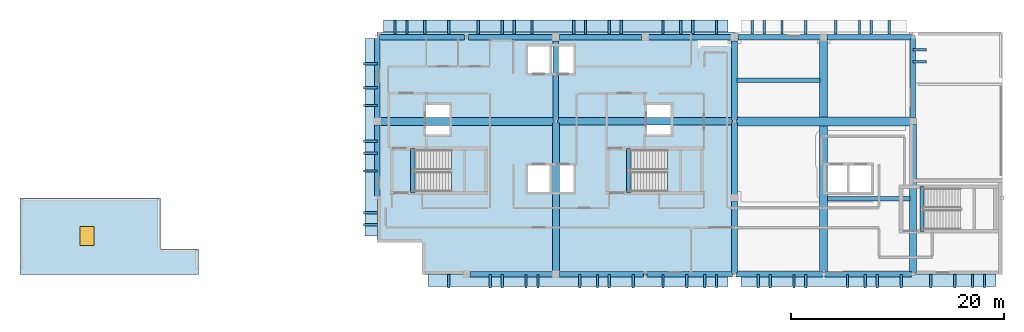
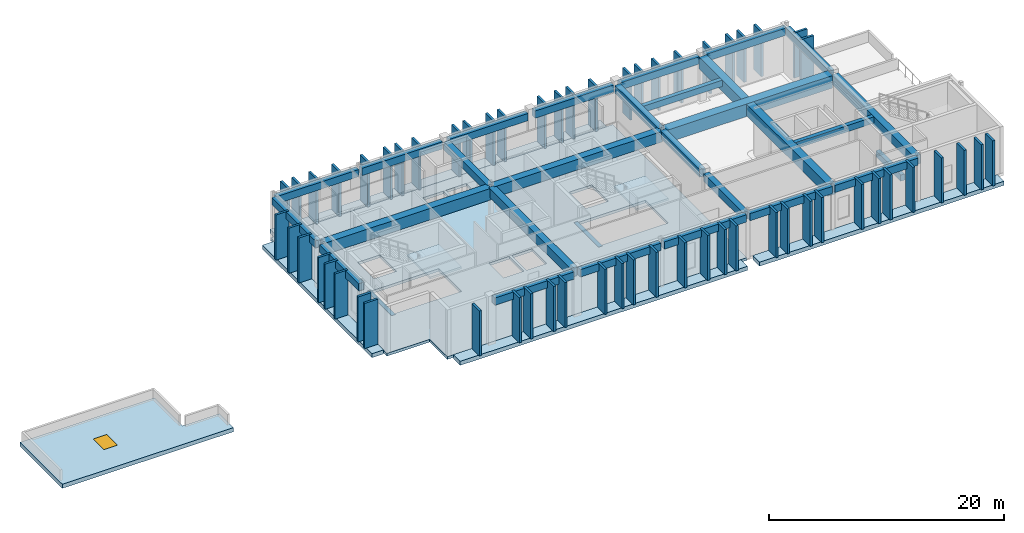
# One storey, part 3 of 9: 59 members, 29 beams, 8 slabs, 1 window, 1 opening, 2 elements without a shape of their own.
"""IFC4 building model written with IfcOpenShell, lengths in metres."""

from ifc_helpers import new_model, si_unit, direction, frame, origin, origin_2d, place, context, subcontext, project, spatial, polyline, rectangle, outline, extrude, material, layer, layer_set, material_profile, profile_set, type_object, element, fill, aggregate, save


model = new_model("IFC4")

# Units and contexts
model_context = context("Model", 3, precision=1e-05, world=origin(), true_north=direction((0.0, 1.0)))
body_context = subcontext(model_context, "Body", "Model", "MODEL_VIEW")
ifc_project = project(units=[si_unit("LENGTHUNIT", "METRE"), si_unit("AREAUNIT", "SQUARE_METRE"), si_unit("VOLUMEUNIT", "CUBIC_METRE"), si_unit("PLANEANGLEUNIT", "RADIAN"), si_unit("MASSUNIT", "GRAM", prefix="KILO")], contexts=[model_context])

# Site, building, storey
site_placement = place(None, origin())
site = spatial("IfcSite", under=ifc_project, at=site_placement, CompositionType="ELEMENT")
building_placement = place(site_placement, origin())
building = spatial("IfcBuilding", under=site, at=building_placement, Name="Quendrovan Civic Courthouse", CompositionType="ELEMENT")
storey_placement = place(building_placement, frame((0.0, 0.0, 30.60009765625)))
storey = spatial("IfcBuildingStorey", under=building, at=storey_placement, Name="L07", CompositionType="ELEMENT", Elevation=30.60009765625)

# Beams
ifc_material_1 = material(Name="Post-tensioned concrete C50/60", Category="concrete")
ifc_material_profile_1 = material_profile(ifc_material_1, rectangle(XDim=0.699951171875, YDim=1.10009765625, at=origin_2d()), Name="PT-GIRD-700x1100")
ifc_profile_set_1 = profile_set([ifc_material_profile_1], Name="Post-tensioned concrete C50/60")
beam_type_1 = type_object("IfcBeamType", Name="BM-PT1100", PredefinedType="BEAM", material=ifc_profile_set_1)
beam_1_placement = place(storey_placement, frame((50.56689453125, 102.0, 4.10986328125), z_axis=(1.0, 0.0, 0.0), x_axis=(0.0, 1.0, 0.0)))
element("IfcBeam", 1, at=beam_1_placement, inside=storey, type_object=beam_type_1, Name="L07 Girder X1134", PredefinedType="BEAM", context=body_context, shape_type="SweptSolid", body=[
    extrude(rectangle(XDim=0.699951171875, YDim=1.10009765625, at=origin_2d()), origin(), (0.0, 0.0, 1.0), 16.466064453125),
])
ifc_material_profile_2 = material_profile(ifc_material_1, rectangle(XDim=0.75, YDim=1.199951171875, at=origin_2d()), Name="PT-GIRD-750x1200")
ifc_profile_set_2 = profile_set([ifc_material_profile_2], Name="Post-tensioned concrete C50/60")
beam_type_2 = type_object("IfcBeamType", Name="BM-PT1200", PredefinedType="BEAM", material=ifc_profile_set_2)
beam_2_placement = place(storey_placement, frame((33.929931640625, 102.0, 4.059814453125), z_axis=(1.0, 0.0, 0.0), x_axis=(0.0, 1.0, 0.0)))
element("IfcBeam", 2, at=beam_2_placement, inside=storey, type_object=beam_type_2, Name="L07 Girder X1133", PredefinedType="BEAM", context=body_context, shape_type="SweptSolid", body=[
    extrude(rectangle(XDim=0.75, YDim=1.199951171875, at=origin_2d()), origin(), (0.0, 0.0, 1.0), 16.302978515625),
])
beam_3_placement = place(storey_placement, frame((75.60009765625, 87.72998046875, 4.059814453125), z_axis=(0.0, 1.0, 0.0), x_axis=(-1.0, 0.0, 0.0)))
element("IfcBeam", 3, at=beam_3_placement, inside=storey, type_object=beam_type_2, Name="L07 Girder Y1149", PredefinedType="BEAM", context=body_context, shape_type="SweptSolid", body=[
    extrude(rectangle(XDim=0.75, YDim=1.199951171875, at=origin_2d()), origin(), (0.0, 0.0, 1.0), 21.864990234375),
])
ifc_material_profile_3 = material_profile(ifc_material_1, rectangle(XDim=0.85009765625, YDim=1.300048828125, at=origin_2d()), Name="PT-GRD-850x1300")
ifc_profile_set_3 = profile_set([ifc_material_profile_3], Name="Post-tensioned concrete C50/60")
beam_type_3 = type_object("IfcBeamType", Name="BM-PT1300", PredefinedType="BEAM", material=ifc_profile_set_3)
beam_4_placement = place(storey_placement, frame((67.366943359375, 102.0, 4.010009765625), z_axis=(1.0, 0.0, 0.0), x_axis=(0.0, 1.0, 0.0)))
element("IfcBeam", 4, at=beam_4_placement, inside=storey, type_object=beam_type_3, Name="L07 Girder X1135", PredefinedType="BEAM", context=body_context, shape_type="SweptSolid", body=[
    extrude(rectangle(XDim=0.85009765625, YDim=1.300048828125, at=origin_2d()), origin(), (0.0, 0.0, 1.0), 16.328125),
])
ifc_material_profile_4 = material_profile(ifc_material_1, rectangle(XDim=0.64990234375, YDim=0.949951171875, at=origin_2d()), Name="PT-GIRD-650x950")
ifc_profile_set_4 = profile_set([ifc_material_profile_4], Name="Post-tensioned concrete C50/60")
beam_type_4 = type_object("IfcBeamType", Name="BM-PT950", PredefinedType="BEAM", material=ifc_profile_set_4)
beam_5_placement = place(storey_placement, frame((50.39990234375, 87.929931640625, 4.184814453125), z_axis=(0.0, 1.0, 0.0), x_axis=(-1.0, 0.0, 0.0)))
element("IfcBeam", 5, at=beam_5_placement, inside=storey, type_object=beam_type_4, Name="L07 Girder Y1144", PredefinedType="BEAM", context=body_context, shape_type="SweptSolid", body=[
    extrude(rectangle(XDim=0.64990234375, YDim=0.949951171875, at=origin_2d()), origin(), (0.0, 0.0, 1.0), 13.904052734375),
])
beam_6_placement = place(storey_placement, frame((84.0, 87.72998046875, 4.184814453125), z_axis=(0.0, 1.0, 0.0), x_axis=(-1.0, 0.0, 0.0)))
element("IfcBeam", 6, at=beam_6_placement, inside=storey, type_object=beam_type_4, Name="L07 Girder Y1150", PredefinedType="BEAM", context=body_context, shape_type="SweptSolid", body=[
    extrude(rectangle(XDim=0.64990234375, YDim=0.949951171875, at=origin_2d()), origin(), (0.0, 0.0, 1.0), 13.965087890625),
])
ifc_material_2 = material(Name="Concrete C40/50", Category="concrete")
ifc_material_profile_5 = material_profile(ifc_material_2, rectangle(XDim=0.39990234375, YDim=0.64990234375, at=origin_2d()), Name="RC-BM-400x650")
ifc_profile_set_5 = profile_set([ifc_material_profile_5], Name="Concrete C40/50")
beam_type_5 = type_object("IfcBeamType", Name="BM-RC650", PredefinedType="JOIST", material=ifc_profile_set_5)
beam_7_placement = place(storey_placement, frame((67.455078125, 105.867919921875, 4.3349609375), z_axis=(1.0, 0.0, 0.0), x_axis=(0.0, 1.0, 0.0)))
element("IfcBeam", 7, at=beam_7_placement, inside=storey, type_object=beam_type_5, Name="L07 Secondary Joist 1152", PredefinedType="JOIST", context=body_context, shape_type="SweptSolid", body=[
    extrude(rectangle(XDim=0.39990234375, YDim=0.64990234375, at=origin_2d()), origin(), (0.0, 0.0, 1.0), 7.7900390625),
])
beam_8_placement = place(storey_placement, frame((75.955078125, 94.71240234375, 4.3349609375), z_axis=(1.0, 0.0, 0.0), x_axis=(0.0, 1.0, 0.0)))
element("IfcBeam", 8, at=beam_8_placement, inside=storey, type_object=beam_type_5, Name="L07 Secondary Joist 1153", PredefinedType="JOIST", context=body_context, shape_type="SweptSolid", body=[
    extrude(rectangle(XDim=0.39990234375, YDim=0.64990234375, at=origin_2d()), origin(), (0.0, 0.0, 1.0), 7.739990234375),
])
for number, where, z_axis, x_axis, name in (
    (9, (36.949951171875, 95.25, -0.3251953125), (0.0, 1.0, 0.0), (-1.0, 0.0, 0.0), "L07 Stair ST1 Landing Trimmer Beam"),
    (10, (57.25, 95.25, -0.3251953125), (0.0, 1.0, 0.0), (-1.0, 0.0, 0.0), "L07 Stair ST2 Landing Trimmer Beam"),
):
    element("IfcBeam", number, at=place(storey_placement, frame(where, z_axis=z_axis, x_axis=x_axis)), inside=storey, type_object=beam_type_5, Name=name, PredefinedType="JOIST", context=body_context, shape_type="SweptSolid", body=[
        extrude(rectangle(XDim=0.39990234375, YDim=0.64990234375, at=origin_2d()), origin(), (0.0, 0.0, 1.0), 4.199951171875),
    ])
beam_9_placement = place(storey_placement, frame((84.85009765625, 91.64990234375, -0.3251953125), z_axis=(0.0, 1.0, 0.0), x_axis=(-1.0, 0.0, 0.0)))
element("IfcBeam", 11, at=beam_9_placement, inside=storey, type_object=beam_type_5, Name="L07 Stair ST3 Landing Trimmer Beam", PredefinedType="JOIST", context=body_context, shape_type="SweptSolid", body=[
    extrude(rectangle(XDim=0.39990234375, YDim=0.64990234375, at=origin_2d()), origin(), (0.0, 0.0, 1.0), 4.2001953125),
])
ifc_material_profile_6 = material_profile(ifc_material_2, rectangle(XDim=0.5, YDim=0.75, at=origin_2d()), Name="RC-BM-500x750")
ifc_profile_set_6 = profile_set([ifc_material_profile_6], Name="Concrete C40/50")
beam_type_6 = type_object("IfcBeamType", Name="BM-RC750", PredefinedType="SPANDREL", material=ifc_profile_set_6)
beam_10_placement = place(storey_placement, frame((42.330078125, 87.60009765625, 4.284912109375), z_axis=(1.0, 0.0, 0.0), x_axis=(0.0, 1.0, 0.0)))
element("IfcBeam", 12, at=beam_10_placement, inside=storey, type_object=beam_type_6, Name="L07 Girder X1128", PredefinedType="SPANDREL", context=body_context, shape_type="SweptSolid", body=[
    extrude(rectangle(XDim=0.5, YDim=0.75, at=origin_2d()), origin(), (0.0, 0.0, 1.0), 7.739990234375),
])
beam_11_placement = place(storey_placement, frame((50.72998046875, 87.60009765625, 4.284912109375), z_axis=(1.0, 0.0, 0.0), x_axis=(0.0, 1.0, 0.0)))
element("IfcBeam", 13, at=beam_11_placement, inside=storey, type_object=beam_type_6, Name="L07 Girder X1129", PredefinedType="SPANDREL", context=body_context, shape_type="SweptSolid", body=[
    extrude(rectangle(XDim=0.5, YDim=0.75, at=origin_2d()), origin(), (0.0, 0.0, 1.0), 7.903076171875),
])
beam_12_placement = place(storey_placement, frame((58.967041015625, 87.60009765625, 4.284912109375), z_axis=(1.0, 0.0, 0.0), x_axis=(0.0, 1.0, 0.0)))
element("IfcBeam", 14, at=beam_12_placement, inside=storey, type_object=beam_type_6, Name="L07 Girder X1130", PredefinedType="SPANDREL", context=body_context, shape_type="SweptSolid", body=[
    extrude(rectangle(XDim=0.5, YDim=0.75, at=origin_2d()), origin(), (0.0, 0.0, 1.0), 8.06591796875),
])
beam_13_placement = place(storey_placement, frame((67.366943359375, 87.60009765625, 4.284912109375), z_axis=(1.0, 0.0, 0.0), x_axis=(0.0, 1.0, 0.0)))
element("IfcBeam", 15, at=beam_13_placement, inside=storey, type_object=beam_type_6, Name="L07 Girder X1131", PredefinedType="SPANDREL", context=body_context, shape_type="SweptSolid", body=[
    extrude(rectangle(XDim=0.5, YDim=0.75, at=origin_2d()), origin(), (0.0, 0.0, 1.0), 8.10302734375),
])
beam_14_placement = place(storey_placement, frame((75.72998046875, 87.60009765625, 4.284912109375), z_axis=(1.0, 0.0, 0.0), x_axis=(0.0, 1.0, 0.0)))
element("IfcBeam", 16, at=beam_14_placement, inside=storey, type_object=beam_type_6, Name="L07 Girder X1132", PredefinedType="SPANDREL", context=body_context, shape_type="SweptSolid", body=[
    extrude(rectangle(XDim=0.5, YDim=0.75, at=origin_2d()), origin(), (0.0, 0.0, 1.0), 8.14013671875),
])
beam_15_placement = place(storey_placement, frame((33.76708984375, 109.89990234375, 4.284912109375), z_axis=(1.0, 0.0, 0.0), x_axis=(0.0, 1.0, 0.0)))
element("IfcBeam", 17, at=beam_15_placement, inside=storey, type_object=beam_type_6, Name="L07 Girder X1136", PredefinedType="SPANDREL", context=body_context, shape_type="SweptSolid", body=[
    extrude(rectangle(XDim=0.5, YDim=0.75, at=origin_2d()), origin(), (0.0, 0.0, 1.0), 8.06591796875),
])
beam_16_placement = place(storey_placement, frame((42.1669921875, 109.89990234375, 4.284912109375), z_axis=(1.0, 0.0, 0.0), x_axis=(0.0, 1.0, 0.0)))
element("IfcBeam", 18, at=beam_16_placement, inside=storey, type_object=beam_type_6, Name="L07 Girder X1137", PredefinedType="SPANDREL", context=body_context, shape_type="SweptSolid", body=[
    extrude(rectangle(XDim=0.5, YDim=0.75, at=origin_2d()), origin(), (0.0, 0.0, 1.0), 7.903076171875),
])
beam_17_placement = place(storey_placement, frame((50.72998046875, 109.89990234375, 4.284912109375), z_axis=(1.0, 0.0, 0.0), x_axis=(0.0, 1.0, 0.0)))
element("IfcBeam", 19, at=beam_17_placement, inside=storey, type_object=beam_type_6, Name="L07 Girder X1138", PredefinedType="SPANDREL", context=body_context, shape_type="SweptSolid", body=[
    extrude(rectangle(XDim=0.5, YDim=0.75, at=origin_2d()), origin(), (0.0, 0.0, 1.0), 7.739990234375),
])
beam_18_placement = place(storey_placement, frame((59.1298828125, 109.89990234375, 4.284912109375), z_axis=(1.0, 0.0, 0.0), x_axis=(0.0, 1.0, 0.0)))
element("IfcBeam", 20, at=beam_18_placement, inside=storey, type_object=beam_type_6, Name="L07 Girder X1139", PredefinedType="SPANDREL", context=body_context, shape_type="SweptSolid", body=[
    extrude(rectangle(XDim=0.5, YDim=0.75, at=origin_2d()), origin(), (0.0, 0.0, 1.0), 7.740234375),
])
beam_19_placement = place(storey_placement, frame((67.530029296875, 109.89990234375, 4.284912109375), z_axis=(1.0, 0.0, 0.0), x_axis=(0.0, 1.0, 0.0)))
element("IfcBeam", 21, at=beam_19_placement, inside=storey, type_object=beam_type_6, Name="L07 Girder X1140", PredefinedType="SPANDREL", context=body_context, shape_type="SweptSolid", body=[
    extrude(rectangle(XDim=0.5, YDim=0.75, at=origin_2d()), origin(), (0.0, 0.0, 1.0), 7.764892578125),
])
beam_20_placement = place(storey_placement, frame((75.905029296875, 109.89990234375, 4.284912109375), z_axis=(1.0, 0.0, 0.0), x_axis=(0.0, 1.0, 0.0)))
element("IfcBeam", 22, at=beam_20_placement, inside=storey, type_object=beam_type_6, Name="L07 Girder X1141", PredefinedType="SPANDREL", context=body_context, shape_type="SweptSolid", body=[
    extrude(rectangle(XDim=0.5, YDim=0.75, at=origin_2d()), origin(), (0.0, 0.0, 1.0), 7.965087890625),
])
beam_21_placement = place(storey_placement, frame((33.60009765625, 94.966064453125, 4.284912109375), z_axis=(0.0, 1.0, 0.0), x_axis=(-1.0, 0.0, 0.0)))
element("IfcBeam", 23, at=beam_21_placement, inside=storey, type_object=beam_type_6, Name="L07 Girder Y1142", PredefinedType="SPANDREL", context=body_context, shape_type="SweptSolid", body=[
    extrude(rectangle(XDim=0.5, YDim=0.75, at=origin_2d()), origin(), (0.0, 0.0, 1.0), 6.703857421875),
])
beam_22_placement = place(storey_placement, frame((33.60009765625, 102.330078125, 4.284912109375), z_axis=(0.0, 1.0, 0.0), x_axis=(-1.0, 0.0, 0.0)))
element("IfcBeam", 24, at=beam_22_placement, inside=storey, type_object=beam_type_6, Name="L07 Girder Y1143", PredefinedType="SPANDREL", context=body_context, shape_type="SweptSolid", body=[
    extrude(rectangle(XDim=0.5, YDim=0.75, at=origin_2d()), origin(), (0.0, 0.0, 1.0), 7.40380859375),
])
beam_23_placement = place(storey_placement, frame((84.0, 102.304931640625, 4.284912109375), z_axis=(0.0, 1.0, 0.0), x_axis=(-1.0, 0.0, 0.0)))
element("IfcBeam", 25, at=beam_23_placement, inside=storey, type_object=beam_type_6, Name="L07 Girder Y1151", PredefinedType="SPANDREL", context=body_context, shape_type="SweptSolid", body=[
    extrude(rectangle(XDim=0.5, YDim=0.75, at=origin_2d()), origin(), (0.0, 0.0, 1.0), 7.465087890625),
])
ifc_material_profile_7 = material_profile(ifc_material_2, rectangle(XDim=0.550048828125, YDim=0.800048828125, at=origin_2d()), Name="RC-BM-550x800")
ifc_profile_set_7 = profile_set([ifc_material_profile_7], Name="Concrete C40/50")
beam_type_7 = type_object("IfcBeamType", Name="BM-RC800", PredefinedType="BEAM", material=ifc_profile_set_7)
beam_24_placement = place(storey_placement, frame((50.39990234375, 102.166015625, 4.260009765625), z_axis=(0.0, 1.0, 0.0), x_axis=(-1.0, 0.0, 0.0)))
element("IfcBeam", 26, at=beam_24_placement, inside=storey, type_object=beam_type_7, Name="L07 Girder Y1145", PredefinedType="BEAM", context=body_context, shape_type="SweptSolid", body=[
    extrude(rectangle(XDim=0.550048828125, YDim=0.800048828125, at=origin_2d()), origin(), (0.0, 0.0, 1.0), 7.404052734375),
])
beam_25_placement = place(storey_placement, frame((67.199951171875, 87.76611328125, 4.260009765625), z_axis=(0.0, 1.0, 0.0), x_axis=(-1.0, 0.0, 0.0)))
element("IfcBeam", 27, at=beam_25_placement, inside=storey, type_object=beam_type_7, Name="L07 Girder Y1146", PredefinedType="BEAM", context=body_context, shape_type="SweptSolid", body=[
    extrude(rectangle(XDim=0.550048828125, YDim=0.800048828125, at=origin_2d()), origin(), (0.0, 0.0, 1.0), 6.703857421875),
])
beam_26_placement = place(storey_placement, frame((67.199951171875, 95.1298828125, 4.260009765625), z_axis=(0.0, 1.0, 0.0), x_axis=(-1.0, 0.0, 0.0)))
element("IfcBeam", 28, at=beam_26_placement, inside=storey, type_object=beam_type_7, Name="L07 Girder Y1147", PredefinedType="BEAM", context=body_context, shape_type="SweptSolid", body=[
    extrude(rectangle(XDim=0.550048828125, YDim=0.800048828125, at=origin_2d()), origin(), (0.0, 0.0, 1.0), 6.7041015625),
])
beam_27_placement = place(storey_placement, frame((67.199951171875, 102.166015625, 4.260009765625), z_axis=(0.0, 1.0, 0.0), x_axis=(-1.0, 0.0, 0.0)))
element("IfcBeam", 29, at=beam_27_placement, inside=storey, type_object=beam_type_7, Name="L07 Girder Y1148", PredefinedType="BEAM", context=body_context, shape_type="SweptSolid", body=[
    extrude(rectangle(XDim=0.550048828125, YDim=0.800048828125, at=origin_2d()), origin(), (0.0, 0.0, 1.0), 7.404052734375),
])

# Members
ifc_material_3 = material(Name="Precast concrete C45/55", Category="concrete")
ifc_material_profile_8 = material_profile(ifc_material_3, rectangle(XDim=0.219970703125, YDim=1.280029296875, at=origin_2d()), Name="PC-FIN-220x1280")
ifc_profile_set_8 = profile_set([ifc_material_profile_8], Name="Precast concrete C45/55")
member_type = type_object("IfcMemberType", Name="MEM-PC-FIN1280", PredefinedType="USERDEFINED", material=ifc_profile_set_8)
for number, where, z_axis, x_axis, name in (
    (30, (68.8798828125, 110.83203125, 0.0), (0.0, 0.0, 1.0), (1.0, 0.0, 0.0), "L07 Precast Concrete Facade Fin 0120"),
    (31, (70.0, 110.83203125, 0.0), (0.0, 0.0, 1.0), (1.0, 0.0, 0.0), "L07 Precast Concrete Facade Fin 0121"),
    (32, (71.679931640625, 110.83203125, 0.0), (0.0, 0.0, 1.0), (1.0, 0.0, 0.0), "L07 Precast Concrete Facade Fin 0122"),
    (33, (73.919921875, 110.83203125, 0.0), (0.0, 0.0, 1.0), (1.0, 0.0, 0.0), "L07 Precast Concrete Facade Fin 0123"),
    (34, (76.719970703125, 110.83203125, 0.0), (0.0, 0.0, 1.0), (1.0, 0.0, 0.0), "L07 Precast Concrete Facade Fin 0124"),
    (35, (78.9599609375, 110.83203125, 0.0), (0.0, 0.0, 1.0), (1.0, 0.0, 0.0), "L07 Precast Concrete Facade Fin 0125"),
    (36, (80.080078125, 110.83203125, 0.0), (0.0, 0.0, 1.0), (1.0, 0.0, 0.0), "L07 Precast Concrete Facade Fin 0126"),
    (37, (81.760009765625, 110.83203125, 0.0), (0.0, 0.0, 1.0), (1.0, 0.0, 0.0), "L07 Precast Concrete Facade Fin 0127"),
    (38, (84.632080078125, 108.719970703125, 0.0), (0.0, 0.0, 1.0), (0.0, -1.0, 0.0), "L07 Precast Concrete Facade Fin 0128"),
    (39, (84.632080078125, 107.60009765625, 0.0), (0.0, 0.0, 1.0), (0.0, -1.0, 0.0), "L07 Precast Concrete Facade Fin 0129"),
    (40, (90.719970703125, 86.968017578125, 0.0), (0.0, 0.0, 1.0), (-1.0, 0.0, 0.0), "L07 Precast Concrete Facade Fin 0130"),
    (41, (89.60009765625, 86.968017578125, 0.0), (0.0, 0.0, 1.0), (-1.0, 0.0, 0.0), "L07 Precast Concrete Facade Fin 0131"),
    (42, (87.919921875, 86.968017578125, 0.0), (0.0, 0.0, 1.0), (-1.0, 0.0, 0.0), "L07 Precast Concrete Facade Fin 0132"),
    (43, (85.679931640625, 86.968017578125, 0.0), (0.0, 0.0, 1.0), (-1.0, 0.0, 0.0), "L07 Precast Concrete Facade Fin 0133"),
    (44, (82.8798828125, 86.968017578125, 0.0), (0.0, 0.0, 1.0), (-1.0, 0.0, 0.0), "L07 Precast Concrete Facade Fin 0134"),
    (45, (80.639892578125, 86.968017578125, 0.0), (0.0, 0.0, 1.0), (-1.0, 0.0, 0.0), "L07 Precast Concrete Facade Fin 0135"),
    (46, (79.52001953125, 86.968017578125, 0.0), (0.0, 0.0, 1.0), (-1.0, 0.0, 0.0), "L07 Precast Concrete Facade Fin 0136"),
    (47, (77.840087890625, 86.968017578125, 0.0), (0.0, 0.0, 1.0), (-1.0, 0.0, 0.0), "L07 Precast Concrete Facade Fin 0137"),
    (48, (73.919921875, 86.968017578125, 0.0), (0.0, 0.0, 1.0), (-1.0, 0.0, 0.0), "L07 Precast Concrete Facade Fin 0138"),
    (49, (72.800048828125, 86.968017578125, 0.0), (0.0, 0.0, 1.0), (-1.0, 0.0, 0.0), "L07 Precast Concrete Facade Fin 0139"),
    (50, (70.56005859375, 86.968017578125, 0.0), (0.0, 0.0, 1.0), (-1.0, 0.0, 0.0), "L07 Precast Concrete Facade Fin 0140"),
    (51, (69.43994140625, 86.968017578125, 0.0), (0.0, 0.0, 1.0), (-1.0, 0.0, 0.0), "L07 Precast Concrete Facade Fin 0141"),
    (52, (65.52001953125, 86.968017578125, 0.0), (0.0, 0.0, 1.0), (-1.0, 0.0, 0.0), "L07 Precast Concrete Facade Fin 0142"),
    (53, (64.39990234375, 86.968017578125, 0.0), (0.0, 0.0, 1.0), (-1.0, 0.0, 0.0), "L07 Precast Concrete Facade Fin 0143"),
    (54, (62.719970703125, 86.968017578125, 0.0), (0.0, 0.0, 1.0), (-1.0, 0.0, 0.0), "L07 Precast Concrete Facade Fin 0144"),
    (55, (60.47998046875, 86.968017578125, 0.0), (0.0, 0.0, 1.0), (-1.0, 0.0, 0.0), "L07 Precast Concrete Facade Fin 0145"),
    (56, (57.679931640625, 86.968017578125, 0.0), (0.0, 0.0, 1.0), (-1.0, 0.0, 0.0), "L07 Precast Concrete Facade Fin 0146"),
    (57, (55.43994140625, 86.968017578125, 0.0), (0.0, 0.0, 1.0), (-1.0, 0.0, 0.0), "L07 Precast Concrete Facade Fin 0147"),
    (58, (54.320068359375, 86.968017578125, 0.0), (0.0, 0.0, 1.0), (-1.0, 0.0, 0.0), "L07 Precast Concrete Facade Fin 0148"),
    (59, (52.639892578125, 86.968017578125, 0.0), (0.0, 0.0, 1.0), (-1.0, 0.0, 0.0), "L07 Precast Concrete Facade Fin 0149"),
    (60, (48.719970703125, 86.968017578125, 0.0), (0.0, 0.0, 1.0), (-1.0, 0.0, 0.0), "L07 Precast Concrete Facade Fin 0150"),
    (61, (47.60009765625, 86.968017578125, 0.0), (0.0, 0.0, 1.0), (-1.0, 0.0, 0.0), "L07 Precast Concrete Facade Fin 0151"),
    (62, (45.360107421875, 86.968017578125, 0.0), (0.0, 0.0, 1.0), (-1.0, 0.0, 0.0), "L07 Precast Concrete Facade Fin 0152"),
    (63, (44.239990234375, 86.968017578125, 0.0), (0.0, 0.0, 1.0), (-1.0, 0.0, 0.0), "L07 Precast Concrete Facade Fin 0153"),
    (64, (40.320068359375, 86.968017578125, 0.0), (0.0, 0.0, 1.0), (-1.0, 0.0, 0.0), "L07 Precast Concrete Facade Fin 0154"),
    (65, (32.968017578125, 92.280029296875, 0.0), (0.0, 0.0, 1.0), (0.0, 1.0, 0.0), "L07 Precast Concrete Facade Fin 0155"),
    (66, (32.968017578125, 93.39990234375, 0.0), (0.0, 0.0, 1.0), (0.0, 1.0, 0.0), "L07 Precast Concrete Facade Fin 0156"),
    (67, (32.968017578125, 97.320068359375, 0.0), (0.0, 0.0, 1.0), (0.0, 1.0, 0.0), "L07 Precast Concrete Facade Fin 0157"),
    (68, (32.968017578125, 99.0, 0.0), (0.0, 0.0, 1.0), (0.0, 1.0, 0.0), "L07 Precast Concrete Facade Fin 0158"),
    (69, (32.968017578125, 100.1201171875, 0.0), (0.0, 0.0, 1.0), (0.0, 1.0, 0.0), "L07 Precast Concrete Facade Fin 0159"),
    (70, (32.968017578125, 103.47998046875, 0.0), (0.0, 0.0, 1.0), (0.0, 1.0, 0.0), "L07 Precast Concrete Facade Fin 0160"),
    (71, (32.968017578125, 105.159912109375, 0.0), (0.0, 0.0, 1.0), (0.0, 1.0, 0.0), "L07 Precast Concrete Facade Fin 0161"),
    (72, (32.968017578125, 107.39990234375, 0.0), (0.0, 0.0, 1.0), (0.0, 1.0, 0.0), "L07 Precast Concrete Facade Fin 0162"),
    (73, (35.280029296875, 110.83203125, 0.0), (0.0, 0.0, 1.0), (1.0, 0.0, 0.0), "L07 Precast Concrete Facade Fin 0163"),
    (74, (36.39990234375, 110.83203125, 0.0), (0.0, 0.0, 1.0), (1.0, 0.0, 0.0), "L07 Precast Concrete Facade Fin 0164"),
    (75, (38.080078125, 110.83203125, 0.0), (0.0, 0.0, 1.0), (1.0, 0.0, 0.0), "L07 Precast Concrete Facade Fin 0165"),
    (76, (40.320068359375, 110.83203125, 0.0), (0.0, 0.0, 1.0), (1.0, 0.0, 0.0), "L07 Precast Concrete Facade Fin 0166"),
    (77, (43.1201171875, 110.83203125, 0.0), (0.0, 0.0, 1.0), (1.0, 0.0, 0.0), "L07 Precast Concrete Facade Fin 0167"),
    (78, (45.360107421875, 110.83203125, 0.0), (0.0, 0.0, 1.0), (1.0, 0.0, 0.0), "L07 Precast Concrete Facade Fin 0168"),
    (79, (46.47998046875, 110.83203125, 0.0), (0.0, 0.0, 1.0), (1.0, 0.0, 0.0), "L07 Precast Concrete Facade Fin 0169"),
    (80, (48.159912109375, 110.83203125, 0.0), (0.0, 0.0, 1.0), (1.0, 0.0, 0.0), "L07 Precast Concrete Facade Fin 0170"),
    (81, (52.080078125, 110.83203125, 0.0), (0.0, 0.0, 1.0), (1.0, 0.0, 0.0), "L07 Precast Concrete Facade Fin 0171"),
    (82, (53.199951171875, 110.83203125, 0.0), (0.0, 0.0, 1.0), (1.0, 0.0, 0.0), "L07 Precast Concrete Facade Fin 0172"),
    (83, (55.43994140625, 110.83203125, 0.0), (0.0, 0.0, 1.0), (1.0, 0.0, 0.0), "L07 Precast Concrete Facade Fin 0173"),
    (84, (56.56005859375, 110.83203125, 0.0), (0.0, 0.0, 1.0), (1.0, 0.0, 0.0), "L07 Precast Concrete Facade Fin 0174"),
    (85, (60.47998046875, 110.83203125, 0.0), (0.0, 0.0, 1.0), (1.0, 0.0, 0.0), "L07 Precast Concrete Facade Fin 0175"),
    (86, (62.159912109375, 110.83203125, 0.0), (0.0, 0.0, 1.0), (1.0, 0.0, 0.0), "L07 Precast Concrete Facade Fin 0176"),
    (87, (63.280029296875, 110.83203125, 0.0), (0.0, 0.0, 1.0), (1.0, 0.0, 0.0), "L07 Precast Concrete Facade Fin 0177"),
    (88, (65.52001953125, 110.83203125, 0.0), (0.0, 0.0, 1.0), (1.0, 0.0, 0.0), "L07 Precast Concrete Facade Fin 0178"),
):
    element("IfcMember", number, at=place(storey_placement, frame(where, z_axis=z_axis, x_axis=x_axis)), inside=storey, type_object=member_type, Name=name, ObjectType="PRECAST FACADE FIN", PredefinedType="USERDEFINED", context=body_context, shape_type="SweptSolid", body=[
        extrude(rectangle(XDim=0.219970703125, YDim=1.280029296875, at=origin_2d()), origin(), (0.0, 0.0, 1.0), 4.679931640625),
    ])

# Slabs
ifc_material_4 = material(Name="Precast limestone concrete C45/55", Category="masonry")
ifc_layer_1 = layer(ifc_material_4, 0.419921875, Name="Precast limestone concrete C45/55")
ifc_layer_set_1 = layer_set([ifc_layer_1], Name="Precast limestone concrete C45/55")
slab_type_1 = type_object("IfcSlabType", Name="SLB-LEDGE-420", PredefinedType="FLOOR", material=ifc_layer_set_1)
slab_1_placement = place(storey_placement, frame((0.0, 0.0, -0.420166015625)))
element("IfcSlab", 89, at=slab_1_placement, inside=storey, type_object=slab_type_1, Name="L07 Precast Architectural Spandrel Fin Shelf 507-0", PredefinedType="FLOOR", context=body_context, shape_type="SweptSolid", body=[
    extrude(outline(polyline([(91.800048828125, 86.471923828125), (67.800048828125, 86.471923828125), (67.800048828125, 87.6220703125), (91.800048828125, 87.6220703125), (91.800048828125, 86.471923828125)])), origin(), (0.0, 0.0, 1.0), 0.420166015625),
])
slab_2_placement = place(storey_placement, frame((0.0, 0.0, -0.420166015625)))
element("IfcSlab", 90, at=slab_2_placement, inside=storey, type_object=slab_type_1, Name="L07 Precast Architectural Spandrel Fin Shelf 508-0", PredefinedType="FLOOR", context=body_context, shape_type="SweptSolid", body=[
    extrude(outline(polyline([(66.60009765625, 86.471923828125), (38.39990234375, 86.471923828125), (38.39990234375, 87.6220703125), (66.60009765625, 87.6220703125), (66.60009765625, 86.471923828125)])), origin(), (0.0, 0.0, 1.0), 0.420166015625),
])
slab_3_placement = place(storey_placement, frame((0.0, 0.0, -0.420166015625)))
element("IfcSlab", 91, at=slab_3_placement, inside=storey, type_object=slab_type_1, Name="L07 Precast Architectural Spandrel Fin Shelf 511-0", PredefinedType="FLOOR", context=body_context, shape_type="SweptSolid", body=[
    extrude(outline(polyline([(32.471923828125, 91.199951171875), (32.471923828125, 109.800048828125), (33.6220703125, 109.800048828125), (33.6220703125, 91.199951171875), (32.471923828125, 91.199951171875)])), origin(), (0.0, 0.0, 1.0), 0.420166015625),
])
slab_4_placement = place(storey_placement, frame((0.0, 0.0, -0.420166015625)))
element("IfcSlab", 92, at=slab_4_placement, inside=storey, type_object=slab_type_1, Name="L07 Precast Architectural Spandrel Fin Shelf 512-0", PredefinedType="FLOOR", context=body_context, shape_type="SweptSolid", body=[
    extrude(outline(polyline([(34.199951171875, 111.528076171875), (66.60009765625, 111.528076171875), (66.60009765625, 110.3779296875), (34.199951171875, 110.3779296875), (34.199951171875, 111.528076171875)])), origin(), (0.0, 0.0, 1.0), 0.420166015625),
])
ifc_layer_2 = layer(ifc_material_1, 0.280029296875, Name="Post-tensioned concrete C50/60")
ifc_layer_set_2 = layer_set([ifc_layer_2], Name="Post-tensioned concrete C50/60")
slab_type_2 = type_object("IfcSlabType", Name="SLB-PT-280", PredefinedType="FLOOR", material=ifc_layer_set_2)
slab_5_placement = place(storey_placement, frame((0.0, 0.0, -0.280029296875)))
element("IfcSlab", 93, at=slab_5_placement, inside=storey, type_object=slab_type_2, Name="L07 Structural Floor Slab V2W", PredefinedType="FLOOR", context=body_context, shape_type="SweptSolid", body=[
    extrude(outline(polyline([(67.199951171875, 110.39990234375), (67.199951171875, 87.60009765625), (37.800048828125, 87.60009765625), (37.800048828125, 90.60009765625), (33.60009765625, 90.60009765625), (33.60009765625, 110.39990234375), (67.199951171875, 110.39990234375)]), holes=[polyline([(49.800048828125, 97.85009765625), (47.800048828125, 97.85009765625), (47.800048828125, 95.35009765625), (49.800048828125, 95.35009765625), (49.800048828125, 97.85009765625)]), polyline([(52.050048828125, 97.85009765625), (50.050048828125, 97.85009765625), (50.050048828125, 95.35009765625), (52.050048828125, 95.35009765625), (52.050048828125, 97.85009765625)]), polyline([(43.699951171875, 99.280029296875), (36.949951171875, 99.280029296875), (36.949951171875, 95.39990234375), (43.699951171875, 95.39990234375), (43.699951171875, 99.280029296875)]), polyline([(64.0, 99.280029296875), (57.25, 99.280029296875), (57.25, 95.39990234375), (64.0, 95.39990234375), (64.0, 99.280029296875)]), polyline([(40.39990234375, 103.550048828125), (38.199951171875, 103.550048828125), (38.199951171875, 100.75), (40.39990234375, 100.75), (40.39990234375, 103.550048828125)]), polyline([(61.199951171875, 103.550048828125), (59.0, 103.550048828125), (59.0, 100.75), (61.199951171875, 100.75), (61.199951171875, 103.550048828125)]), polyline([(49.800048828125, 109.050048828125), (47.800048828125, 109.050048828125), (47.800048828125, 106.550048828125), (49.800048828125, 106.550048828125), (49.800048828125, 109.050048828125)]), polyline([(52.050048828125, 109.050048828125), (50.050048828125, 109.050048828125), (50.050048828125, 106.550048828125), (52.050048828125, 106.550048828125), (52.050048828125, 109.050048828125)])]), origin(), (0.0, 0.0, 1.0), 0.280029296875),
])

# Slab, opening, window
ifc_material_5 = material(Name="Concrete C45/55", Category="concrete")
ifc_layer_3 = layer(ifc_material_5, 0.419921875, Name="Concrete C45/55")
ifc_layer_set_3 = layer_set([ifc_layer_3], Name="Concrete C45/55")
slab_type_3 = type_object("IfcSlabType", Name="SLB-ROOF-420", PredefinedType="ROOF", material=ifc_layer_set_3)
slab_6_placement = place(storey_placement, frame((0.0, 0.0, -0.420166015625)))
slab_6 = element("IfcSlab", 94, at=slab_6_placement, inside=storey, type_object=slab_type_3, Name="L07 Step-Back Structural Roof Slab SLB-ROOF-L07-23", PredefinedType="ROOF", context=body_context, shape_type="SweptSolid", body=[
    extrude(outline(polyline([(13.199951171875, 94.800048828125), (13.199951171875, 90.0), (16.800048828125, 90.0), (16.800048828125, 87.60009765625), (0.0, 87.60009765625), (0.0, 94.800048828125), (13.199951171875, 94.800048828125)])), origin(), (0.0, 0.0, 1.0), 0.420166015625),
])
opening_placement = place(slab_6_placement, frame((6.300048828125, 91.199951171875, 0.0)))
opening = element("IfcOpeningElement", 95, at=opening_placement, cuts=slab_6, Name="Opening RH3", PredefinedType="OPENING", context=body_context, shape_type="SweptSolid", body=[
    extrude(rectangle(XDim=1.35009765625, YDim=1.800048828125, at=origin_2d()), frame((0.0, 0.0, -0.010009765625)), (0.0, 0.0, 1.0), 0.440185546875),
])
ifc_material_6 = material(Name="Laminated hurricane-impact low-E glass", Category="glass")
window_type = type_object("IfcWindowType", Name="WIN-HATCH-3", PartitioningType="SINGLE_PANEL", PredefinedType="SKYLIGHT", material=ifc_material_6)
window_placement = place(opening_placement, frame((0.0, 0.0, 0.3701171875)))
window = element("IfcWindow", 96, at=window_placement, inside=storey, type_object=window_type, Name="L07 Smoke-Venting Roof Access Skylight Hatch RH-07", OverallHeight=1.800048828125, OverallWidth=1.35009765625, PartitioningType="SINGLE_PANEL", PredefinedType="SKYLIGHT", context=body_context, shape_type="SweptSolid", body=[
    extrude(rectangle(XDim=1.35009765625, YDim=1.800048828125, at=origin_2d()), origin(), (0.0, 0.0, 1.0), 0.050048828125),
])
fill(opening, window)

# Stair, slab
stair_type = type_object("IfcStairType", Name="STR-CORE-5100", PredefinedType="HALF_TURN_STAIR", material=ifc_material_2)
stair_1_placement = place(storey_placement, origin())
stair_1 = element("IfcStair", 97, at=stair_1_placement, inside=storey, type_object=stair_type, Name="L07 West Judicial and Public Exit Stair 1", PredefinedType="HALF_TURN_STAIR")
ifc_layer_4 = layer(ifc_material_2, 0.199951171875, Name="Concrete C40/50")
ifc_layer_set_4 = layer_set([ifc_layer_4], Name="Concrete C40/50")
slab_type_4 = type_object("IfcSlabType", Name="SLB-STAIR-LND200", PredefinedType="LANDING", material=ifc_layer_set_4)
slab_7_placement = place(storey_placement, frame((0.0, 0.0, 2.349853515625)))
slab_7 = element("IfcSlab", 98, at=slab_7_placement, type_object=slab_type_4, Name="ST1 landing 1", PredefinedType="LANDING", context=body_context, shape_type="SweptSolid", body=[
    extrude(outline(polyline([(40.590087890625, 95.39990234375), (43.699951171875, 95.39990234375), (43.699951171875, 99.280029296875), (40.590087890625, 99.280029296875), (40.590087890625, 95.39990234375)])), origin(), (0.0, 0.0, 1.0), 0.199951171875),
])
aggregate(stair_1, [slab_7])

stair_2_placement = place(storey_placement, origin())
stair_2 = element("IfcStair", 99, at=stair_2_placement, inside=storey, type_object=stair_type, Name="L07 Central Judicial and Firefighting Exit Stair 2", PredefinedType="HALF_TURN_STAIR")
slab_8_placement = place(storey_placement, frame((0.0, 0.0, 2.349853515625)))
slab_8 = element("IfcSlab", 100, at=slab_8_placement, type_object=slab_type_4, Name="ST2 landing 1", PredefinedType="LANDING", context=body_context, shape_type="SweptSolid", body=[
    extrude(outline(polyline([(60.889892578125, 95.39990234375), (64.0, 95.39990234375), (64.0, 99.280029296875), (60.889892578125, 99.280029296875), (60.889892578125, 95.39990234375)])), origin(), (0.0, 0.0, 1.0), 0.199951171875),
])
aggregate(stair_2, [slab_8])

save(model, "model.ifc")
